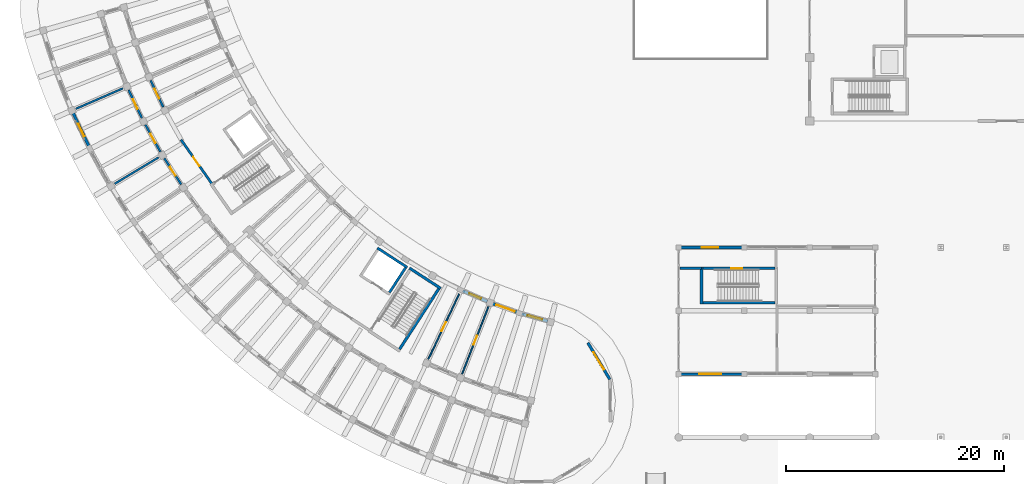
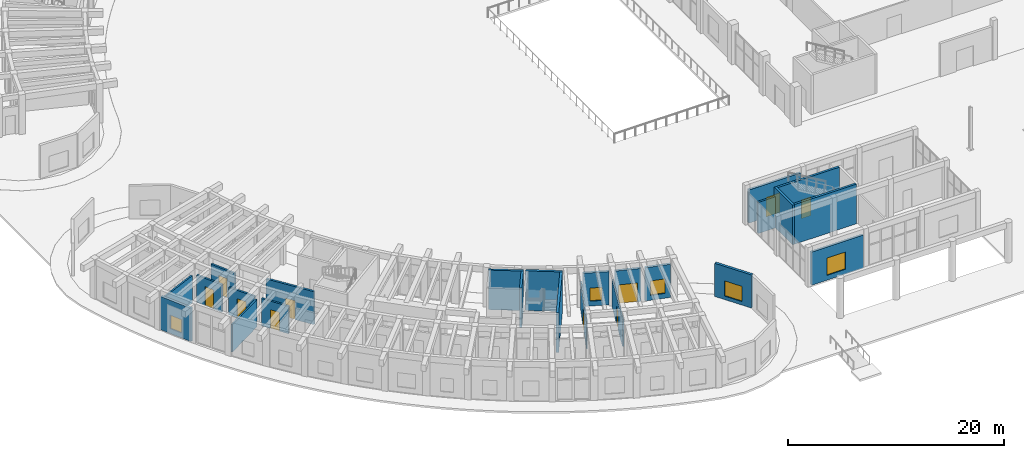
# One storey, part 88 of 132: 24 walls, 10 doors, 5 windows, 15 openings.
"""IFC4 building model written with IfcOpenShell, lengths in metres."""

from ifc_helpers import new_model, si_unit, direction, frame, frame_2d, origin, place, context, subcontext, project, spatial, rectangle, extrude, material, layer, layer_set, type_object, element, fill, save


model = new_model("IFC4")

# Units and contexts
model_context = context("Model", 3, precision=1e-05, world=origin(), true_north=direction((0.0, 1.0)))
body_context = subcontext(model_context, "Body", "Model", "MODEL_VIEW")
ifc_project = project(units=[si_unit("LENGTHUNIT", "METRE"), si_unit("AREAUNIT", "SQUARE_METRE"), si_unit("VOLUMEUNIT", "CUBIC_METRE"), si_unit("PLANEANGLEUNIT", "RADIAN"), si_unit("MASSUNIT", "GRAM", prefix="KILO")], contexts=[model_context])

# Site, building, storey
site_placement = place(None, origin())
site = spatial("IfcSite", under=ifc_project, at=site_placement, CompositionType="ELEMENT")
building_placement = place(site_placement, origin())
building = spatial("IfcBuilding", under=site, at=building_placement, Name="Tanwirah Colonnade Gardens", CompositionType="ELEMENT")
storey_placement = place(building_placement, origin())
storey = spatial("IfcBuildingStorey", under=building, at=storey_placement, Name="L00", CompositionType="ELEMENT", Elevation=0.0)

# Wall, opening, window
ifc_material_1 = material(Name="Limestone architectural precast concrete C40/50", Category="masonry")
ifc_layer_1 = layer(ifc_material_1, 0.239990234375)
ifc_layer_set_1 = layer_set([ifc_layer_1], Name="Limestone architectural precast concrete C40/50")
wall_type_1 = type_object("IfcWallType", Name="EW-PC240", PredefinedType="SOLIDWALL", material=ifc_layer_set_1)
wall_1_placement = place(storey_placement, frame((66.219970703125, 16.60009765625, 0.0), z_axis=(0.0, 0.0, 1.0), x_axis=(1.0, 0.0, 0.0)))
wall_1 = element("IfcWall", 1, at=wall_1_placement, inside=storey, type_object=wall_type_1, Name="Boulevard Shops W L00 S Wall 0", PredefinedType="SOLIDWALL", context=body_context, shape_type="SweptSolid", body=[
    extrude(rectangle(XDim=5.56005859375, YDim=0.239990234375, at=frame_2d((2.780029296875, 0.0))), origin(), (0.0, 0.0, 1.0), 3.75),
])
opening_1_placement = place(wall_1_placement, frame((1.639892578125, 0.0, 0.550048828125)))
opening_1 = element("IfcOpeningElement", 2, at=opening_1_placement, cuts=wall_1, Name="Opening WIN-SHP1", PredefinedType="OPENING", context=body_context, shape_type="SweptSolid", body=[
    extrude(rectangle(XDim=2.02001953125, YDim=1.949951171875, at=frame_2d((1.010009765625, 0.97509765625))), frame((0.0, 0.1298828125, 0.0), z_axis=(0.0, -1.0, 0.0), x_axis=(1.0, 0.0, 0.0)), (0.0, 0.0, 1.0), 0.260009765625),
])
ifc_material_2 = material(Name="Thermally broken bronze aluminium and solar low-E double glazing", Category="aluminium")
window_type_1 = type_object("IfcWindowType", Name="WIN-SHP1", PartitioningType="TRIPLE_PANEL_VERTICAL", PredefinedType="WINDOW", material=ifc_material_2)
window_1_placement = place(opening_1_placement, origin())
window_1 = element("IfcWindow", 3, at=window_1_placement, inside=storey, type_object=window_type_1, Name="Boulevard Shop Window W-L00-0", OverallHeight=1.949951171875, OverallWidth=2.02001953125, PartitioningType="SINGLE_PANEL", PredefinedType="WINDOW", context=body_context, shape_type="SweptSolid", body=[
    extrude(rectangle(XDim=2.02001953125, YDim=1.949951171875, at=frame_2d((1.010009765625, 0.97509765625))), frame((0.0, 0.030029296875, 0.0), z_axis=(0.0, -1.0, 0.0), x_axis=(1.0, 0.0, 0.0)), (0.0, 0.0, 1.0), 0.06005859375),
])
fill(opening_1, window_1)

# Wall, opening, door
wall_2_placement = place(storey_placement, frame((66.219970703125, 28.199951171875, 0.0), z_axis=(0.0, 0.0, 1.0), x_axis=(1.0, 0.0, 0.0)))
wall_2 = element("IfcWall", 4, at=wall_2_placement, inside=storey, type_object=wall_type_1, Name="Boulevard Shops W L00 N Wall 0", PredefinedType="SOLIDWALL", context=body_context, shape_type="SweptSolid", body=[
    extrude(rectangle(XDim=5.56005859375, YDim=0.239990234375, at=frame_2d((2.780029296875, 0.0))), origin(), (0.0, 0.0, 1.0), 3.75),
])
opening_2_placement = place(wall_2_placement, frame((1.89990234375, 0.0, 0.0)))
opening_2 = element("IfcOpeningElement", 5, at=opening_2_placement, cuts=wall_2, Name="Opening L00-ED224", PredefinedType="OPENING", context=body_context, shape_type="SweptSolid", body=[
    extrude(rectangle(XDim=1.5, YDim=2.199951171875, at=frame_2d((0.75, 1.10009765625))), frame((0.0, 0.1298828125, 0.0), z_axis=(0.0, -1.0, 0.0), x_axis=(1.0, 0.0, 0.0)), (0.0, 0.0, 1.0), 0.260009765625),
])
ifc_material_3 = material(Name="Bronze architectural aluminium and safety glass", Category="aluminium")
door_type_1 = type_object("IfcDoorType", Name="ED-SHP15", OperationType="DOUBLE_DOOR_SINGLE_SWING", PredefinedType="DOOR", material=ifc_material_3)
door_1_placement = place(opening_2_placement, origin())
door_1 = element("IfcDoor", 6, at=door_1_placement, inside=storey, type_object=door_type_1, Name="Boulevard Shop Entrance Door L00-ED224", OperationType="DOUBLE_DOOR_SINGLE_SWING", OverallHeight=2.199951171875, OverallWidth=1.5, PredefinedType="DOOR", context=body_context, shape_type="SweptSolid", body=[
    extrude(rectangle(XDim=1.5, YDim=2.199951171875, at=frame_2d((0.75, 1.10009765625))), frame((0.0, 0.02490234375, 0.0), z_axis=(0.0, -1.0, 0.0), x_axis=(1.0, 0.0, 0.0)), (0.0, 0.0, 1.0), 0.050048828125),
])
fill(opening_2, door_1)

# Wall, opening, window
ifc_layer_2 = layer(ifc_material_1, 0.260009765625)
ifc_layer_set_2 = layer_set([ifc_layer_2], Name="Limestone architectural precast concrete C40/50")
wall_type_2 = type_object("IfcWallType", Name="EW-PC260", PredefinedType="SOLIDWALL", material=ifc_layer_set_2)
wall_3_placement = place(storey_placement, frame((10.5068359375, 40.506103515625, 0.0), z_axis=(0.0, 0.0, 1.0), x_axis=(0.428562647062, -0.903512068289, 0.0)))
wall_3 = element("IfcWall", 7, at=wall_3_placement, inside=storey, type_object=wall_type_2, Name="Block C L00 OUT Precast Facade Wall 2", PredefinedType="SOLIDWALL", context=body_context, shape_type="SweptSolid", body=[
    extrude(rectangle(XDim=3.436767578125, YDim=0.260009765625, at=frame_2d((1.71826171875, 0.0))), origin(), (0.0, 0.0, 1.0), 3.7548828125),
])
opening_3_placement = place(wall_3_placement, frame((1.078369140625, 0.0, 0.550048828125)))
opening_3 = element("IfcOpeningElement", 8, at=opening_3_placement, cuts=wall_3, Name="Opening WIN-T17", PredefinedType="OPENING", context=body_context, shape_type="SweptSolid", body=[
    extrude(rectangle(XDim=1.280029296875, YDim=1.52001953125, at=frame_2d((0.64013671875, 0.760009765625))), frame((0.0, 0.139892578125, 0.0), z_axis=(0.0, -1.0, 0.0), x_axis=(1.0, 0.0, 0.0)), (0.0, 0.0, 1.0), 0.280029296875),
])
window_type_2 = type_object("IfcWindowType", Name="WIN-T17", PartitioningType="SINGLE_PANEL", PredefinedType="WINDOW", material=ifc_material_2)
window_2_placement = place(opening_3_placement, origin())
window_2 = element("IfcWindow", 9, at=window_2_placement, inside=storey, type_object=window_type_2, Name="Facade window C-L00-OUT-02", OverallHeight=1.52001953125, OverallWidth=1.280029296875, PartitioningType="SINGLE_PANEL", PredefinedType="WINDOW", context=body_context, shape_type="SweptSolid", body=[
    extrude(rectangle(XDim=1.280029296875, YDim=1.52001953125, at=frame_2d((0.64013671875, 0.760009765625))), frame((0.0, 0.030029296875, 0.0), z_axis=(0.0, -1.0, 0.0), x_axis=(1.0, 0.0, 0.0)), (0.0, 0.0, 1.0), 0.06005859375),
])
fill(opening_3, window_2)

wall_4_placement = place(storey_placement, frame((46.208740234375, 24.2236328125, 0.0), z_axis=(0.0, 0.0, 1.0), x_axis=(0.917908073111, -0.396793106439, 0.0)))
wall_4 = element("IfcWall", 10, at=wall_4_placement, inside=storey, type_object=wall_type_2, Name="Block C L00 IN Precast Facade Wall 13", PredefinedType="SOLIDWALL", context=body_context, shape_type="SweptSolid", body=[
    extrude(rectangle(XDim=2.44873046875, YDim=0.260009765625, at=frame_2d((1.224365234375, 0.0))), origin(), (0.0, 0.0, 1.0), 3.7548828125),
])
opening_4_placement = place(wall_4_placement, frame((0.644287109375, 0.0, 0.550048828125)))
opening_4 = element("IfcOpeningElement", 11, at=opening_4_placement, cuts=wall_4, Name="Opening WIN-U01", PredefinedType="OPENING", context=body_context, shape_type="SweptSolid", body=[
    extrude(rectangle(XDim=1.159912109375, YDim=1.485107421875, at=frame_2d((0.580078125, 0.74267578125))), frame((0.0, 0.139892578125, 0.0), z_axis=(0.0, -1.0, 0.0), x_axis=(1.0, 0.0, 0.0)), (0.0, 0.0, 1.0), 0.280029296875),
])
window_type_3 = type_object("IfcWindowType", Name="WIN-U01", PartitioningType="DOUBLE_PANEL_VERTICAL", PredefinedType="WINDOW", material=ifc_material_2)
window_3_placement = place(opening_4_placement, origin())
window_3 = element("IfcWindow", 12, at=window_3_placement, inside=storey, type_object=window_type_3, Name="Facade window C-L00-IN-13", OverallHeight=1.485107421875, OverallWidth=1.159912109375, PartitioningType="SINGLE_PANEL", PredefinedType="WINDOW", context=body_context, shape_type="SweptSolid", body=[
    extrude(rectangle(XDim=1.159912109375, YDim=1.485107421875, at=frame_2d((0.580078125, 0.74267578125))), frame((0.0, 0.030029296875, 0.0), z_axis=(0.0, -1.0, 0.0), x_axis=(1.0, 0.0, 0.0)), (0.0, 0.0, 1.0), 0.06005859375),
])
fill(opening_4, window_3)

# Wall, opening, door
wall_5_placement = place(storey_placement, frame((48.968017578125, 23.050537109375, 0.0), z_axis=(0.0, 0.0, 1.0), x_axis=(0.941897456242, -0.335900553623, 0.0)))
wall_5 = element("IfcWall", 13, at=wall_5_placement, inside=storey, type_object=wall_type_2, Name="Block C L00 IN Precast Facade Wall 14", PredefinedType="SOLIDWALL", context=body_context, shape_type="SweptSolid", body=[
    extrude(rectangle(XDim=2.44873046875, YDim=0.260009765625, at=frame_2d((1.224365234375, 0.0))), origin(), (0.0, 0.0, 1.0), 3.7548828125),
])
opening_5_placement = place(wall_5_placement, frame((0.324462890625, 0.0, 0.0)))
opening_5 = element("IfcOpeningElement", 14, at=opening_5_placement, cuts=wall_5, Name="Opening L00-ED126", PredefinedType="OPENING", context=body_context, shape_type="SweptSolid", body=[
    extrude(rectangle(XDim=1.800048828125, YDim=2.14990234375, at=frame_2d((0.89990234375, 1.074951171875))), frame((0.0, 0.139892578125, 0.0), z_axis=(0.0, -1.0, 0.0), x_axis=(1.0, 0.0, 0.0)), (0.0, 0.0, 1.0), 0.280029296875),
])
ifc_material_4 = material(Name="Powder-coated galvanized steel fire exit door", Category="steel")
door_type_2 = type_object("IfcDoorType", Name="ED-EXIT18", OperationType="DOUBLE_DOOR_SINGLE_SWING", PredefinedType="DOOR", material=ifc_material_4)
door_2_placement = place(opening_5_placement, origin())
door_2 = element("IfcDoor", 15, at=door_2_placement, inside=storey, type_object=door_type_2, Name="Pedestrian final exit door L00-ED126", OperationType="DOUBLE_DOOR_SINGLE_SWING", OverallHeight=2.14990234375, OverallWidth=1.800048828125, PredefinedType="DOOR", context=body_context, shape_type="SweptSolid", body=[
    extrude(rectangle(XDim=1.800048828125, YDim=2.14990234375, at=frame_2d((0.89990234375, 1.074951171875))), frame((0.0, 0.02490234375, 0.0), z_axis=(0.0, -1.0, 0.0), x_axis=(1.0, 0.0, 0.0)), (0.0, 0.0, 1.0), 0.050048828125),
])
fill(opening_5, door_2)

# Wall, opening, window
wall_6_placement = place(storey_placement, frame((51.626708984375, 22.115478515625, 0.0), z_axis=(0.0, 0.0, 1.0), x_axis=(0.961854311059, -0.273562212847, 0.0)))
wall_6 = element("IfcWall", 16, at=wall_6_placement, inside=storey, type_object=wall_type_2, Name="Block C L00 IN Precast Facade Wall 15", PredefinedType="SOLIDWALL", context=body_context, shape_type="SweptSolid", body=[
    extrude(rectangle(XDim=2.448974609375, YDim=0.260009765625, at=frame_2d((1.224609375, 0.0))), origin(), (0.0, 0.0, 1.0), 3.7548828125),
])
opening_6_placement = place(wall_6_placement, frame((0.5244140625, 0.0, 0.550048828125)))
opening_6 = element("IfcOpeningElement", 17, at=opening_6_placement, cuts=wall_6, Name="Opening WIN-U07", PredefinedType="OPENING", context=body_context, shape_type="SweptSolid", body=[
    extrude(rectangle(XDim=1.39990234375, YDim=1.635009765625, at=frame_2d((0.699951171875, 0.8173828125))), frame((0.0, 0.139892578125, 0.0), z_axis=(0.0, -1.0, 0.0), x_axis=(1.0, 0.0, 0.0)), (0.0, 0.0, 1.0), 0.280029296875),
])
window_type_4 = type_object("IfcWindowType", Name="WIN-U07", PartitioningType="DOUBLE_PANEL_VERTICAL", PredefinedType="WINDOW", material=ifc_material_2)
window_4_placement = place(opening_6_placement, origin())
window_4 = element("IfcWindow", 18, at=window_4_placement, inside=storey, type_object=window_type_4, Name="Facade window C-L00-IN-15", OverallHeight=1.635009765625, OverallWidth=1.39990234375, PartitioningType="SINGLE_PANEL", PredefinedType="WINDOW", context=body_context, shape_type="SweptSolid", body=[
    extrude(rectangle(XDim=1.39990234375, YDim=1.635009765625, at=frame_2d((0.699951171875, 0.8173828125))), frame((0.0, 0.030029296875, 0.0), z_axis=(0.0, -1.0, 0.0), x_axis=(1.0, 0.0, 0.0)), (0.0, 0.0, 1.0), 0.06005859375),
])
fill(opening_6, window_4)

wall_7_placement = place(storey_placement, frame((57.664794921875, 19.4755859375, 0.0), z_axis=(0.0, 0.0, 1.0), x_axis=(0.515019321998, -0.857178568309, 0.0)))
wall_7 = element("IfcWall", 19, at=wall_7_placement, inside=storey, type_object=wall_type_2, Name="Block C L00 END Rounded End Wall 1", PredefinedType="SOLIDWALL", context=body_context, shape_type="SweptSolid", body=[
    extrude(rectangle(XDim=3.907958984375, YDim=0.260009765625, at=frame_2d((1.9541015625, 0.0))), origin(), (0.0, 0.0, 1.0), 3.7548828125),
])
opening_7_placement = place(wall_7_placement, frame((1.029052734375, 0.0, 0.39990234375)))
opening_7 = element("IfcOpeningElement", 20, at=opening_7_placement, cuts=wall_7, Name="Opening WIN-END1", PredefinedType="OPENING", context=body_context, shape_type="SweptSolid", body=[
    extrude(rectangle(XDim=1.85009765625, YDim=1.719970703125, at=frame_2d((0.925048828125, 0.85986328125))), frame((0.0, 0.139892578125, 0.0), z_axis=(0.0, -1.0, 0.0), x_axis=(1.0, 0.0, 0.0)), (0.0, 0.0, 1.0), 0.280029296875),
])
window_type_5 = type_object("IfcWindowType", Name="WIN-END1", PartitioningType="TRIPLE_PANEL_VERTICAL", PredefinedType="WINDOW", material=ifc_material_2)
window_5_placement = place(opening_7_placement, origin())
window_5 = element("IfcWindow", 21, at=window_5_placement, inside=storey, type_object=window_type_5, Name="Rounded corner window C-L00-END-1", OverallHeight=1.719970703125, OverallWidth=1.85009765625, PartitioningType="SINGLE_PANEL", PredefinedType="WINDOW", context=body_context, shape_type="SweptSolid", body=[
    extrude(rectangle(XDim=1.85009765625, YDim=1.719970703125, at=frame_2d((0.925048828125, 0.85986328125))), frame((0.0, 0.030029296875, 0.0), z_axis=(0.0, -1.0, 0.0), x_axis=(1.0, 0.0, 0.0)), (0.0, 0.0, 1.0), 0.06005859375),
])
fill(opening_7, window_5)

# Wall, opening, door
ifc_material_5 = material(Name="Precast concrete C40/50", Category="concrete")
ifc_layer_3 = layer(ifc_material_5, 0.195068359375)
ifc_layer_set_3 = layer_set([ifc_layer_3], Name="Precast concrete C40/50")
wall_type_3 = type_object("IfcWallType", Name="IW-CORR195", PredefinedType="PARTITIONING", material=ifc_layer_set_3)
wall_8_placement = place(storey_placement, frame((15.5830078125, 42.63134765625, 0.0), z_axis=(0.0, 0.0, 1.0), x_axis=(0.428493237107, -0.903544988229, 0.0)))
wall_8 = element("IfcWall", 22, at=wall_8_placement, inside=storey, type_object=wall_type_3, Name="Block C L00 OUT Corridor Wall 2", PredefinedType="PARTITIONING", context=body_context, shape_type="SweptSolid", body=[
    extrude(rectangle(XDim=2.8369140625, YDim=0.195068359375, at=frame_2d((1.41845703125, 0.0))), origin(), (0.0, 0.0, 1.0), 3.10009765625),
])
opening_8_placement = place(wall_8_placement, frame((0.923583984375, 0.0, 0.0)))
opening_8 = element("IfcOpeningElement", 23, at=opening_8_placement, cuts=wall_8, Name="Opening L00-AD1285", PredefinedType="OPENING", context=body_context, shape_type="SweptSolid", body=[
    extrude(rectangle(XDim=0.989990234375, YDim=2.159912109375, at=frame_2d((0.4951171875, 1.080078125))), frame((0.0, 0.107421875, 0.0), z_axis=(0.0, -1.0, 0.0), x_axis=(1.0, 0.0, 0.0)), (0.0, 0.0, 1.0), 0.215087890625),
])
ifc_material_6 = material(Name="Solid oak fire-resisting apartment entrance door")
door_type_3 = type_object("IfcDoorType", Name="ID-FLT099", OperationType="NOTDEFINED", PredefinedType="DOOR", material=ifc_material_6)
door_3_placement = place(opening_8_placement, origin())
door_3 = element("IfcDoor", 24, at=door_3_placement, inside=storey, type_object=door_type_3, Name="Apartment corridor door L00-AD1285", OperationType="SINGLE_SWING_LEFT", OverallHeight=2.159912109375, OverallWidth=0.989990234375, PredefinedType="DOOR", context=body_context, shape_type="SweptSolid", body=[
    extrude(rectangle(XDim=0.989990234375, YDim=2.159912109375, at=frame_2d((0.4951171875, 1.080078125))), frame((0.0, 0.02490234375, 0.0), z_axis=(0.0, -1.0, 0.0), x_axis=(1.0, 0.0, 0.0)), (0.0, 0.0, 1.0), 0.050048828125),
])
fill(opening_8, door_3)

wall_9_placement = place(storey_placement, frame((17.600341796875, 43.508544921875, 0.0), z_axis=(0.0, 0.0, 1.0), x_axis=(0.428550049392, -0.903518043631, 0.0)))
wall_9 = element("IfcWall", 25, at=wall_9_placement, inside=storey, type_object=wall_type_3, Name="Block C L00 IN Corridor Wall 2", PredefinedType="PARTITIONING", context=body_context, shape_type="SweptSolid", body=[
    extrude(rectangle(XDim=2.69287109375, YDim=0.195068359375, at=frame_2d((1.346435546875, 0.0))), origin(), (0.0, 0.0, 1.0), 3.10009765625),
])
opening_9_placement = place(wall_9_placement, frame((0.8515625, 0.0, 0.0)))
opening_9 = element("IfcOpeningElement", 26, at=opening_9_placement, cuts=wall_9, Name="Opening L00-AD1286", PredefinedType="OPENING", context=body_context, shape_type="SweptSolid", body=[
    extrude(rectangle(XDim=0.989990234375, YDim=2.159912109375, at=frame_2d((0.4951171875, 1.080078125))), frame((0.0, 0.107421875, 0.0), z_axis=(0.0, -1.0, 0.0), x_axis=(1.0, 0.0, 0.0)), (0.0, 0.0, 1.0), 0.215087890625),
])
door_4_placement = place(opening_9_placement, origin())
door_4 = element("IfcDoor", 27, at=door_4_placement, inside=storey, type_object=door_type_3, Name="Apartment corridor door L00-AD1286", OperationType="SINGLE_SWING_RIGHT", OverallHeight=2.159912109375, OverallWidth=0.989990234375, PredefinedType="DOOR", context=body_context, shape_type="SweptSolid", body=[
    extrude(rectangle(XDim=0.989990234375, YDim=2.159912109375, at=frame_2d((0.4951171875, 1.080078125))), frame((0.0, 0.02490234375, 0.0), z_axis=(0.0, -1.0, 0.0), x_axis=(1.0, 0.0, 0.0)), (0.0, 0.0, 1.0), 0.050048828125),
])
fill(opening_9, door_4)

wall_10_placement = place(storey_placement, frame((17.118896484375, 39.4462890625, 0.0), z_axis=(0.0, 0.0, 1.0), x_axis=(0.48673124079, -0.8735517725, 0.0)))
wall_10 = element("IfcWall", 28, at=wall_10_placement, inside=storey, type_object=wall_type_3, Name="Block C L00 OUT Corridor Wall 3", PredefinedType="PARTITIONING", context=body_context, shape_type="SweptSolid", body=[
    extrude(rectangle(XDim=2.8369140625, YDim=0.195068359375, at=frame_2d((1.41845703125, 0.0))), origin(), (0.0, 0.0, 1.0), 3.10009765625),
])
opening_10_placement = place(wall_10_placement, frame((0.93359375, 0.0, 0.0)))
opening_10 = element("IfcOpeningElement", 29, at=opening_10_placement, cuts=wall_10, Name="Opening L00-AD1288", PredefinedType="OPENING", context=body_context, shape_type="SweptSolid", body=[
    extrude(rectangle(XDim=0.969970703125, YDim=2.14990234375, at=frame_2d((0.48486328125, 1.074951171875))), frame((0.0, 0.107421875, 0.0), z_axis=(0.0, -1.0, 0.0), x_axis=(1.0, 0.0, 0.0)), (0.0, 0.0, 1.0), 0.215087890625),
])
door_type_4 = type_object("IfcDoorType", Name="ID-FLT097", OperationType="NOTDEFINED", PredefinedType="DOOR", material=ifc_material_6)
door_5_placement = place(opening_10_placement, origin())
door_5 = element("IfcDoor", 30, at=door_5_placement, inside=storey, type_object=door_type_4, Name="Apartment corridor door L00-AD1288", OperationType="SINGLE_SWING_RIGHT", OverallHeight=2.14990234375, OverallWidth=0.969970703125, PredefinedType="DOOR", context=body_context, shape_type="SweptSolid", body=[
    extrude(rectangle(XDim=0.969970703125, YDim=2.14990234375, at=frame_2d((0.48486328125, 1.074951171875))), frame((0.0, 0.02490234375, 0.0), z_axis=(0.0, -1.0, 0.0), x_axis=(1.0, 0.0, 0.0)), (0.0, 0.0, 1.0), 0.050048828125),
])
fill(opening_10, door_5)

wall_11_placement = place(storey_placement, frame((18.860107421875, 36.3681640625, 0.0), z_axis=(0.0, 0.0, 1.0), x_axis=(0.542787304957, -0.83987019329, 0.0)))
wall_11 = element("IfcWall", 31, at=wall_11_placement, inside=storey, type_object=wall_type_3, Name="Block C L00 OUT Corridor Wall 4", PredefinedType="PARTITIONING", context=body_context, shape_type="SweptSolid", body=[
    extrude(rectangle(XDim=2.8369140625, YDim=0.195068359375, at=frame_2d((1.41845703125, 0.0))), origin(), (0.0, 0.0, 1.0), 3.10009765625),
])
opening_11_placement = place(wall_11_placement, frame((0.943603515625, 0.0, 0.0)))
opening_11 = element("IfcOpeningElement", 32, at=opening_11_placement, cuts=wall_11, Name="Opening L00-AD1289", PredefinedType="OPENING", context=body_context, shape_type="SweptSolid", body=[
    extrude(rectangle(XDim=0.949951171875, YDim=2.1298828125, at=frame_2d((0.47509765625, 1.06494140625))), frame((0.0, 0.107421875, 0.0), z_axis=(0.0, -1.0, 0.0), x_axis=(1.0, 0.0, 0.0)), (0.0, 0.0, 1.0), 0.215087890625),
])
door_type_5 = type_object("IfcDoorType", Name="ID-FLT095", OperationType="NOTDEFINED", PredefinedType="DOOR", material=ifc_material_6)
door_6_placement = place(opening_11_placement, origin())
door_6 = element("IfcDoor", 33, at=door_6_placement, inside=storey, type_object=door_type_5, Name="Apartment corridor door L00-AD1289", OperationType="SINGLE_SWING_LEFT", OverallHeight=2.1298828125, OverallWidth=0.949951171875, PredefinedType="DOOR", context=body_context, shape_type="SweptSolid", body=[
    extrude(rectangle(XDim=0.949951171875, YDim=2.1298828125, at=frame_2d((0.47509765625, 1.06494140625))), frame((0.0, 0.02490234375, 0.0), z_axis=(0.0, -1.0, 0.0), x_axis=(1.0, 0.0, 0.0)), (0.0, 0.0, 1.0), 0.050048828125),
])
fill(opening_11, door_6)

# Walls
ifc_layer_4 = layer(ifc_material_5, 0.205078125)
ifc_layer_set_4 = layer_set([ifc_layer_4], Name="Precast concrete C40/50")
wall_type_4 = type_object("IfcWallType", Name="IW-CORR205", PredefinedType="PARTITIONING", material=ifc_layer_set_4)
wall_12_placement = place(storey_placement, frame((66.1201171875, 26.2900390625, 0.0), z_axis=(0.0, 0.0, 1.0), x_axis=(1.0, 0.0, 0.0)))
element("IfcWall", 34, at=wall_12_placement, inside=storey, type_object=wall_type_4, Name="Interior Partition IW-SHPW-EXIT-W", PredefinedType="PARTITIONING", context=body_context, shape_type="SweptSolid", body=[
    extrude(rectangle(XDim=1.9599609375, YDim=0.205078125, at=frame_2d((0.97998046875, 0.0))), origin(), (0.0, 0.0, 1.0), 3.52001953125),
])
ifc_layer_5 = layer(ifc_material_5, 0.175048828125)
ifc_layer_set_5 = layer_set([ifc_layer_5], Name="Precast concrete C40/50")
wall_type_5 = type_object("IfcWallType", Name="IW-DEM175", PredefinedType="PARTITIONING", material=ifc_layer_set_5)
for number, where, z_axis, x_axis, name in (
    (35, (15.066162109375, 42.7880859375, 0.0), (0.0, 0.0, 1.0), (-0.917071707884, -0.398722312643, 0.0), "Block C L00 Radial Partition 1"),
    (36, (18.3271484375, 36.456298828125, 0.0), (0.0, 0.0, 1.0), (-0.857139805444, -0.515083831937, 0.0), "Block C L00 Radial Partition 3"),
):
    element("IfcWall", number, at=place(storey_placement, frame(where, z_axis=z_axis, x_axis=x_axis)), inside=storey, type_object=wall_type_5, Name=name, PredefinedType="PARTITIONING", context=body_context, shape_type="SweptSolid", body=[
        extrude(rectangle(XDim=4.699951171875, YDim=0.175048828125, at=frame_2d((2.35009765625, 0.0))), origin(), (0.0, 0.0, 1.0), 3.10009765625),
    ])

# Wall, opening, door
ifc_material_7 = material(Name="Autoclaved aerated masonry blockwork", Category="masonry")
ifc_layer_6 = layer(ifc_material_7, 0.219970703125)
ifc_layer_set_6 = layer_set([ifc_layer_6], Name="Autoclaved aerated masonry blockwork")
wall_type_6 = type_object("IfcWallType", Name="IW-FFL220", PredefinedType="PARTITIONING", material=ifc_layer_set_6)
wall_13_placement = place(storey_placement, frame((23.19482421875, 34.06787109375, 0.0), z_axis=(0.0, 0.0, 1.0), x_axis=(-0.573572687386, 0.819154669329, 0.0)))
wall_13 = element("IfcWall", 37, at=wall_13_placement, inside=storey, type_object=wall_type_6, Name="CORE-C1 L00 Enclosed Lobby Fire Wall", PredefinedType="PARTITIONING", context=body_context, shape_type="SweptSolid", body=[
    extrude(rectangle(XDim=4.900146484375, YDim=0.219970703125, at=frame_2d((2.4501953125, 0.0))), origin(), (0.0, 0.0, 1.0), 3.739990234375),
])
opening_12_placement = place(wall_13_placement, frame((1.949951171875, 0.0, 0.0)))
opening_12 = element("IfcOpeningElement", 38, at=opening_12_placement, cuts=wall_13, Name="Opening L00-LD134", PredefinedType="OPENING", context=body_context, shape_type="SweptSolid", body=[
    extrude(rectangle(XDim=1.0, YDim=2.14990234375, at=frame_2d((0.5, 1.074951171875))), frame((0.0, 0.119873046875, 0.0), z_axis=(0.0, -1.0, 0.0), x_axis=(1.0, 0.0, 0.0)), (0.0, 0.0, 1.0), 0.239990234375),
])
ifc_material_8 = material(Name="Acoustic fire-resisting lobby door")
door_type_6 = type_object("IfcDoorType", Name="ID-FFL100", OperationType="NOTDEFINED", PredefinedType="DOOR", material=ifc_material_8)
door_7_placement = place(opening_12_placement, origin())
door_7 = element("IfcDoor", 39, at=door_7_placement, inside=storey, type_object=door_type_6, Name="CORE-C1 L00 Lobby Fire Door L00-LD134", OperationType="SINGLE_SWING_LEFT", OverallHeight=2.14990234375, OverallWidth=1.0, PredefinedType="DOOR", context=body_context, shape_type="SweptSolid", body=[
    extrude(rectangle(XDim=1.0, YDim=2.14990234375, at=frame_2d((0.5, 1.074951171875))), frame((0.0, 0.02490234375, 0.0), z_axis=(0.0, -1.0, 0.0), x_axis=(1.0, 0.0, 0.0)), (0.0, 0.0, 1.0), 0.050048828125),
])
fill(opening_12, door_7)

ifc_material_9 = material(Name="Moisture-resistant gypsum stud partition")
ifc_layer_7 = layer(ifc_material_9, 0.125)
ifc_layer_set_7 = layer_set([ifc_layer_7], Name="Moisture-resistant gypsum stud partition")
wall_type_7 = type_object("IfcWallType", Name="IW-INT125", PredefinedType="PARTITIONING", material=ifc_layer_set_7)
wall_14_placement = place(storey_placement, frame((45.868408203125, 23.935302734375, 0.0), z_axis=(0.0, 0.0, 1.0), x_axis=(-0.426573573579, -0.904452865728, 0.0)))
wall_14 = element("IfcWall", 40, at=wall_14_placement, inside=storey, type_object=wall_type_7, Name="Block C L00 Inner Radial Partition 12", PredefinedType="PARTITIONING", context=body_context, shape_type="SweptSolid", body=[
    extrude(rectangle(XDim=6.60009765625, YDim=0.125, at=frame_2d((3.300048828125, 0.0))), origin(), (0.0, 0.0, 1.0), 3.10009765625),
])
opening_13_placement = place(wall_14_placement, frame((2.85498046875, 0.0, 0.0)))
opening_13 = element("IfcOpeningElement", 41, at=opening_13_placement, cuts=wall_14, Name="Opening L00-RD1305", PredefinedType="OPENING", context=body_context, shape_type="SweptSolid", body=[
    extrude(rectangle(XDim=0.889892578125, YDim=2.10009765625, at=frame_2d((0.44482421875, 1.050048828125))), frame((0.0, 0.072509765625, 0.0), z_axis=(0.0, -1.0, 0.0), x_axis=(1.0, 0.0, 0.0)), (0.0, 0.0, 1.0), 0.14501953125),
])
ifc_material_10 = material(Name="Painted hardwood bedroom door", Category="wood")
door_type_7 = type_object("IfcDoorType", Name="ID-RM089", OperationType="NOTDEFINED", PredefinedType="DOOR", material=ifc_material_10)
door_8_placement = place(opening_13_placement, origin())
door_8 = element("IfcDoor", 42, at=door_8_placement, inside=storey, type_object=door_type_7, Name="Internal apartment door L00-RD1305", OperationType="SINGLE_SWING_RIGHT", OverallHeight=2.10009765625, OverallWidth=0.889892578125, PredefinedType="DOOR", context=body_context, shape_type="SweptSolid", body=[
    extrude(rectangle(XDim=0.889892578125, YDim=2.10009765625, at=frame_2d((0.44482421875, 1.050048828125))), frame((0.0, 0.02490234375, 0.0), z_axis=(0.0, -1.0, 0.0), x_axis=(1.0, 0.0, 0.0)), (0.0, 0.0, 1.0), 0.050048828125),
])
fill(opening_13, door_8)

wall_15_placement = place(storey_placement, frame((48.5625, 22.770751953125, 0.0), z_axis=(0.0, 0.0, 1.0), x_axis=(-0.366512873936, -0.930412979939, 0.0)))
wall_15 = element("IfcWall", 43, at=wall_15_placement, inside=storey, type_object=wall_type_7, Name="Block C L00 Inner Radial Partition 13", PredefinedType="PARTITIONING", context=body_context, shape_type="SweptSolid", body=[
    extrude(rectangle(XDim=6.599853515625, YDim=0.125, at=frame_2d((3.2998046875, 0.0))), origin(), (0.0, 0.0, 1.0), 3.10009765625),
])
opening_14_placement = place(wall_15_placement, frame((2.864990234375, 0.0, 0.0)))
opening_14 = element("IfcOpeningElement", 44, at=opening_14_placement, cuts=wall_15, Name="Opening L00-RD1308", PredefinedType="OPENING", context=body_context, shape_type="SweptSolid", body=[
    extrude(rectangle(XDim=0.8701171875, YDim=2.080078125, at=frame_2d((0.43505859375, 1.0400390625))), frame((0.0, 0.072509765625, 0.0), z_axis=(0.0, -1.0, 0.0), x_axis=(1.0, 0.0, 0.0)), (0.0, 0.0, 1.0), 0.14501953125),
])
ifc_material_11 = material(Name="Painted hardwood study door", Category="wood")
door_type_8 = type_object("IfcDoorType", Name="ID-RM087", OperationType="NOTDEFINED", PredefinedType="DOOR", material=ifc_material_11)
door_9_placement = place(opening_14_placement, origin())
door_9 = element("IfcDoor", 45, at=door_9_placement, inside=storey, type_object=door_type_8, Name="Internal apartment door L00-RD1308", OperationType="SINGLE_SWING_LEFT", OverallHeight=2.080078125, OverallWidth=0.8701171875, PredefinedType="DOOR", context=body_context, shape_type="SweptSolid", body=[
    extrude(rectangle(XDim=0.8701171875, YDim=2.080078125, at=frame_2d((0.43505859375, 1.0400390625))), frame((0.0, 0.02490234375, 0.0), z_axis=(0.0, -1.0, 0.0), x_axis=(1.0, 0.0, 0.0)), (0.0, 0.0, 1.0), 0.050048828125),
])
fill(opening_14, door_9)

# Walls
ifc_material_12 = material(Name="Concrete C45/55", Category="concrete")
ifc_layer_8 = layer(ifc_material_12, 0.235107421875)
ifc_layer_set_8 = layer_set([ifc_layer_8], Name="Concrete C45/55")
wall_type_8 = type_object("IfcWallType", Name="SW-CORE235", PredefinedType="SHEAR", material=ifc_layer_set_8)
wall_16_placement = place(storey_placement, frame((68.199951171875, 23.132568359375, 0.0), z_axis=(0.0, 0.0, 1.0), x_axis=(1.0, 0.0, 0.0)))
element("IfcWall", 46, at=wall_16_placement, inside=storey, type_object=wall_type_8, Name="CORE-SW L00 Stair Shaft Shear Wall LEFT", PredefinedType="SHEAR", context=body_context, shape_type="SweptSolid", body=[
    extrude(rectangle(XDim=6.60009765625, YDim=0.235107421875, at=frame_2d((3.300048828125, 0.0))), origin(), (0.0, 0.0, 1.0), 4.489990234375),
])
wall_17_placement = place(storey_placement, frame((68.08251953125, 23.014892578125, 0.0), z_axis=(0.0, 0.0, 1.0), x_axis=(0.0, 1.0, 0.0)))
element("IfcWall", 47, at=wall_17_placement, inside=storey, type_object=wall_type_8, Name="CORE-SW L00 Stair Shaft Shear Wall NEAR", PredefinedType="SHEAR", context=body_context, shape_type="SweptSolid", body=[
    extrude(rectangle(XDim=3.39013671875, YDim=0.235107421875, at=frame_2d((1.695068359375, 0.0))), origin(), (0.0, 0.0, 1.0), 4.489990234375),
])

# Wall, opening, door
wall_18_placement = place(storey_placement, frame((68.199951171875, 26.28759765625, 0.0), z_axis=(0.0, 0.0, 1.0), x_axis=(1.0, 0.0, 0.0)))
wall_18 = element("IfcWall", 48, at=wall_18_placement, inside=storey, type_object=wall_type_8, Name="CORE-SW L00 Stair Shaft Shear Wall RIGHT", PredefinedType="SHEAR", context=body_context, shape_type="SweptSolid", body=[
    extrude(rectangle(XDim=6.60009765625, YDim=0.235107421875, at=frame_2d((3.300048828125, 0.0))), origin(), (0.0, 0.0, 1.0), 4.489990234375),
])
opening_15_placement = place(wall_18_placement, frame((2.60009765625, 0.0, 0.0)))
opening_15 = element("IfcOpeningElement", 49, at=opening_15_placement, cuts=wall_18, Name="Opening L00-SD217", PredefinedType="OPENING", context=body_context, shape_type="SweptSolid", body=[
    extrude(rectangle(XDim=1.02001953125, YDim=2.139892578125, at=frame_2d((0.510009765625, 1.06982421875))), frame((0.0, 0.12744140625, 0.0), z_axis=(0.0, -1.0, 0.0), x_axis=(1.0, 0.0, 0.0)), (0.0, 0.0, 1.0), 0.255126953125),
])
ifc_material_13 = material(Name="Steel fire-resisting stair enclosure door", Category="steel")
door_type_9 = type_object("IfcDoorType", Name="ID-ST102", OperationType="NOTDEFINED", PredefinedType="DOOR", material=ifc_material_13)
door_10_placement = place(opening_15_placement, origin())
door_10 = element("IfcDoor", 50, at=door_10_placement, inside=storey, type_object=door_type_9, Name="CORE-SW L00 Stair Fire Door L00-SD217", OperationType="SINGLE_SWING_RIGHT", OverallHeight=2.139892578125, OverallWidth=1.02001953125, PredefinedType="DOOR", context=body_context, shape_type="SweptSolid", body=[
    extrude(rectangle(XDim=1.02001953125, YDim=2.139892578125, at=frame_2d((0.510009765625, 1.06982421875))), frame((0.0, 0.02490234375, 0.0), z_axis=(0.0, -1.0, 0.0), x_axis=(1.0, 0.0, 0.0)), (0.0, 0.0, 1.0), 0.050048828125),
])
fill(opening_15, door_10)

# Walls
ifc_layer_9 = layer(ifc_material_12, 0.25)
ifc_layer_set_9 = layer_set([ifc_layer_9], Name="Concrete C45/55")
wall_type_9 = type_object("IfcWallType", Name="SW-CORE250", PredefinedType="SHEAR", material=ifc_layer_set_9)
wall_19_placement = place(storey_placement, frame((40.412841796875, 18.881591796875, 0.0), z_axis=(0.0, 0.0, 1.0), x_axis=(0.544629435258, 0.838676802022, 0.0)))
element("IfcWall", 51, at=wall_19_placement, inside=storey, type_object=wall_type_9, Name="CORE-C2 L00 Stair Shaft Shear Wall LEFT", PredefinedType="SHEAR", context=body_context, shape_type="SweptSolid", body=[
    extrude(rectangle(XDim=6.599853515625, YDim=0.25, at=frame_2d((3.2998046875, 0.0))), origin(), (0.0, 0.0, 1.0), 4.47998046875),
])
wall_20_placement = place(storey_placement, frame((44.180419921875, 24.45361328125, 0.0), z_axis=(0.0, 0.0, 1.0), x_axis=(-0.838699580527, 0.544594356953, 0.0)))
element("IfcWall", 52, at=wall_20_placement, inside=storey, type_object=wall_type_9, Name="CORE-C2 L00 Stair Shaft Shear Wall FAR", PredefinedType="SHEAR", context=body_context, shape_type="SweptSolid", body=[
    extrude(rectangle(XDim=3.420166015625, YDim=0.25, at=frame_2d((1.7099609375, 0.0))), origin(), (0.0, 0.0, 1.0), 4.47998046875),
])
ifc_layer_10 = layer(ifc_material_12, 0.22998046875)
ifc_layer_set_10 = layer_set([ifc_layer_10], Name="Concrete C45/55")
wall_type_10 = type_object("IfcWallType", Name="SW-LIFT230", PredefinedType="SHEAR", material=ifc_layer_set_10)
wall_21_placement = place(storey_placement, frame((41.111572265625, 26.374755859375, 0.0), z_axis=(0.0, 0.0, 1.0), x_axis=(-0.838638623546, 0.544688221919, 0.0)))
element("IfcWall", 53, at=wall_21_placement, inside=storey, type_object=wall_type_10, Name="CORE-C2 L00 Lift Shaft Wall BACK", PredefinedType="SHEAR", context=body_context, shape_type="SweptSolid", body=[
    extrude(rectangle(XDim=3.260009765625, YDim=0.22998046875, at=frame_2d((1.6298828125, 0.0))), origin(), (0.0, 0.0, 1.0), 4.47998046875),
])
wall_22_placement = place(storey_placement, frame((39.48193359375, 24.07666015625, 0.0), z_axis=(0.0, 0.0, 1.0), x_axis=(0.544686387605, 0.838639814913, 0.0)))
element("IfcWall", 54, at=wall_22_placement, inside=storey, type_object=wall_type_10, Name="CORE-C2 L00 Lift Shaft Wall SIDEA", PredefinedType="SHEAR", context=body_context, shape_type="SweptSolid", body=[
    extrude(rectangle(XDim=2.7001953125, YDim=0.22998046875, at=frame_2d((1.35009765625, 0.0))), origin(), (0.0, 0.0, 1.0), 4.47998046875),
])

save(model, "model.ifc")
